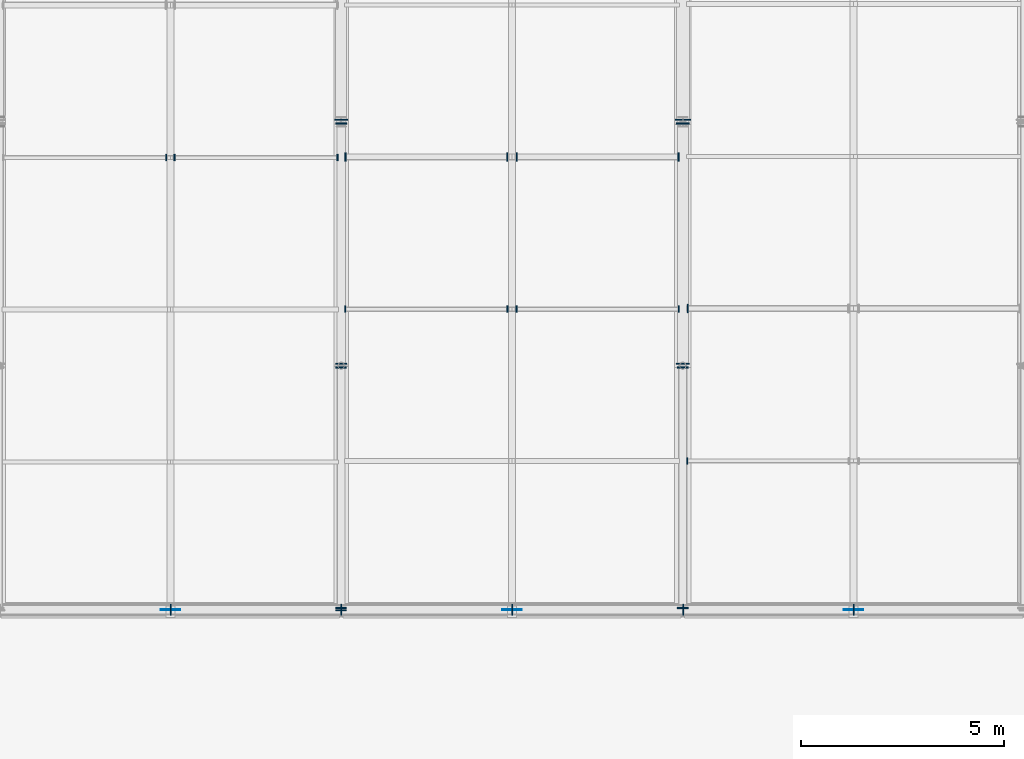
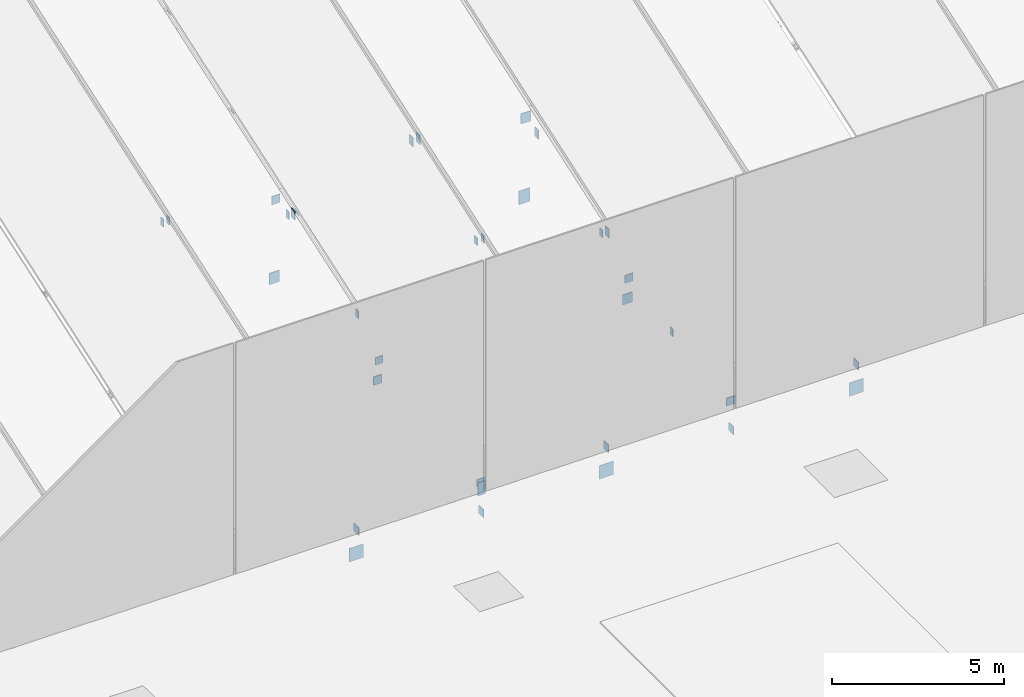
# One storey, part 63 of 77: 32 plates.
"""IFC4 building model written with IfcOpenShell, lengths in metres."""

from ifc_helpers import new_model, si_unit, direction, frame, origin, origin_2d, place, context, subcontext, project, spatial, rectangle, extrude, material, layer, layer_set, type_object, element, save


model = new_model("IFC4")

# Units and contexts
model_context = context("Model", 3, precision=1e-05, world=origin(), true_north=direction((0.0, 1.0)))
body_context = subcontext(model_context, "Body", "Model", "MODEL_VIEW")
ifc_project = project(units=[si_unit("LENGTHUNIT", "METRE"), si_unit("AREAUNIT", "SQUARE_METRE"), si_unit("VOLUMEUNIT", "CUBIC_METRE"), si_unit("PLANEANGLEUNIT", "RADIAN"), si_unit("MASSUNIT", "GRAM", prefix="KILO")], contexts=[model_context])

# Site, building, storey
site_placement = place(None, origin())
site = spatial("IfcSite", under=ifc_project, at=site_placement, CompositionType="ELEMENT")
building_placement = place(site_placement, origin())
building = spatial("IfcBuilding", under=site, at=building_placement, Name="Larkvane Passage Sports Hall", CompositionType="ELEMENT")
storey_placement = place(building_placement, frame((0.0, 0.0, 22.199951171875)))
storey = spatial("IfcBuildingStorey", under=building, at=storey_placement, Name="RF", CompositionType="ELEMENT", Elevation=22.199951171875)

# Plates
ifc_material_1 = material(Name="Steel S355JR", Category="steel")
ifc_layer_1 = layer(ifc_material_1, 0.011962890625)
ifc_layer_set_1 = layer_set([ifc_layer_1], Name="Steel S355JR")
plate_type_1 = type_object("IfcPlateType", Name="PLT-CAP-12", PredefinedType="SHEET", material=ifc_layer_set_1)
for number, where, z_axis, x_axis, name in (
    (1, (68.39990234375, 39.64404296875, 0.1083984375), (0.0, 0.0, 1.0), (-1.0, 0.0, 0.0), "Hollow section sealed end cap plate 0293"),
    (2, (68.39990234375, 45.555908203125, 0.857421875), (0.0, 0.0, 1.0), (-1.0, 0.0, 0.0), "Hollow section sealed end cap plate 0294"),
):
    element("IfcPlate", number, at=place(storey_placement, frame(where, z_axis=z_axis, x_axis=x_axis)), inside=storey, type_object=plate_type_1, Name=name, PredefinedType="SHEET", context=body_context, shape_type="SweptSolid", body=[
        extrude(rectangle(XDim=0.260009765625, YDim=0.028076171875, at=origin_2d()), origin(), (0.0, 0.0, 1.0), 0.261962890625),
    ])
for number, where, z_axis, x_axis, name in (
    (3, (68.39990234375, 45.64453125, 0.08740234375), (0.0, 0.0, 1.0), (-1.0, 0.0, 0.0), "Hollow section sealed end cap plate 0295"),
    (4, (68.39990234375, 51.555419921875, 2.9130859375), (0.0, 0.0, 1.0), (-1.0, 0.0, 0.0), "Hollow section sealed end cap plate 0296"),
):
    element("IfcPlate", number, at=place(storey_placement, frame(where, z_axis=z_axis, x_axis=x_axis)), inside=storey, type_object=plate_type_1, Name=name, PredefinedType="SHEET", context=body_context, shape_type="SweptSolid", body=[
        extrude(rectangle(XDim=0.27587890625, YDim=0.028076171875, at=origin_2d()), origin(), (0.0, 0.0, 1.0), 0.300048828125),
    ])
plate_1_placement = place(storey_placement, frame((68.39990234375, 51.6455078125, 0.03271484375), z_axis=(0.0, 0.0, 1.0), x_axis=(-1.0, 0.0, 0.0)))
element("IfcPlate", 5, at=plate_1_placement, inside=storey, type_object=plate_type_1, Name="Hollow section sealed end cap plate 0297", PredefinedType="SHEET", context=body_context, shape_type="SweptSolid", body=[
    extrude(rectangle(XDim=0.326904296875, YDim=0.028076171875, at=origin_2d()), origin(), (0.0, 0.0, 1.0), 0.406982421875),
])
for number, where, z_axis, x_axis, name in (
    (6, (76.800048828125, 39.64404296875, 0.05029296875), (0.0, 0.0, 1.0), (-1.0, 0.0, 0.0), "Hollow section sealed end cap plate 0307"),
    (7, (76.800048828125, 45.555908203125, 0.82470703125), (0.0, 0.0, 1.0), (-1.0, 0.0, 0.0), "Hollow section sealed end cap plate 0308"),
):
    element("IfcPlate", number, at=place(storey_placement, frame(where, z_axis=z_axis, x_axis=x_axis)), inside=storey, type_object=plate_type_1, Name=name, PredefinedType="SHEET", context=body_context, shape_type="SweptSolid", body=[
        extrude(rectangle(XDim=0.27587890625, YDim=0.028076171875, at=origin_2d()), origin(), (0.0, 0.0, 1.0), 0.278076171875),
    ])
for number, where, z_axis, x_axis, name in (
    (8, (76.800048828125, 45.64453125, 0.009033203125), (0.0, 0.0, 1.0), (-1.0, 0.0, 0.0), "Hollow section sealed end cap plate 0309"),
    (9, (76.800048828125, 51.555419921875, 2.859619140625), (0.0, 0.0, 1.0), (-1.0, 0.0, 0.0), "Hollow section sealed end cap plate 0310"),
):
    element("IfcPlate", number, at=place(storey_placement, frame(where, z_axis=z_axis, x_axis=x_axis)), inside=storey, type_object=plate_type_1, Name=name, PredefinedType="SHEET", context=body_context, shape_type="SweptSolid", body=[
        extrude(rectangle(XDim=0.326904296875, YDim=0.028076171875, at=origin_2d()), origin(), (0.0, 0.0, 1.0), 0.35693359375),
    ])
for number, where, z_axis, x_axis, name in (
    (10, (64.205810546875, 39.60009765625, -0.0888671875), (0.0, 0.0, 1.0), (0.0, 1.0, 0.0), "Hollow section sealed end cap plate 0373"),
    (11, (68.406005859375, 39.60009765625, -0.92138671875), (0.0, 0.0, 1.0), (0.0, 1.0, 0.0), "Hollow section sealed end cap plate 0374"),
    (12, (72.60595703125, 39.60009765625, -0.0888671875), (0.0, 0.0, 1.0), (0.0, 1.0, 0.0), "Hollow section sealed end cap plate 0376"),
    (13, (76.805908203125, 39.60009765625, -0.92138671875), (0.0, 0.0, 1.0), (0.0, 1.0, 0.0), "Hollow section sealed end cap plate 0377"),
    (14, (81.005859375, 39.60009765625, -0.0888671875), (0.0, 0.0, 1.0), (0.0, 1.0, 0.0), "Hollow section sealed end cap plate 0379"),
):
    element("IfcPlate", number, at=place(storey_placement, frame(where, z_axis=z_axis, x_axis=x_axis)), inside=storey, type_object=plate_type_1, Name=name, PredefinedType="SHEET", context=body_context, shape_type="SweptSolid", body=[
        extrude(rectangle(XDim=0.27587890625, YDim=0.028076171875, at=origin_2d()), origin(), (0.0, 0.0, 1.0), 0.280029296875),
    ])
for number, where, z_axis, x_axis, name in (
    (15, (64.30078125, 50.715087890625, 4.134521484375), (0.0, 0.0, 1.0), (0.0, 1.0, 0.0), "Hollow section sealed end cap plate 0450"),
    (16, (64.09912109375, 50.715087890625, 4.134521484375), (0.0, 0.0, 1.0), (0.0, 1.0, 0.0), "Hollow section sealed end cap plate 0453"),
    (17, (68.310546875, 50.715087890625, 2.931396484375), (0.0, 0.0, 1.0), (0.0, 1.0, 0.0), "Hollow section sealed end cap plate 0454"),
    (18, (68.499755859375, 46.98779296875, 1.602783203125), (0.0, 0.0, 1.0), (0.0, 1.0, 0.0), "Hollow section sealed end cap plate 0465"),
    (19, (72.71142578125, 46.98779296875, 2.80615234375), (0.0, 0.0, 1.0), (0.0, 1.0, 0.0), "Hollow section sealed end cap plate 0466"),
):
    element("IfcPlate", number, at=place(storey_placement, frame(where, z_axis=z_axis, x_axis=x_axis)), inside=storey, type_object=plate_type_1, Name=name, PredefinedType="SHEET", context=body_context, shape_type="SweptSolid", body=[
        extrude(rectangle(XDim=0.159912109375, YDim=0.028076171875, at=origin_2d()), origin(), (0.0, 0.0, 1.0), 0.26806640625),
    ])
for number, where, z_axis, x_axis, name in (
    (20, (68.50634765625, 50.735595703125, 2.84619140625), (0.0, 0.0, 1.0), (0.0, 1.0, 0.0), "Hollow section sealed end cap plate 0467"),
    (21, (72.718017578125, 50.735595703125, 4.04931640625), (0.0, 0.0, 1.0), (0.0, 1.0, 0.0), "Hollow section sealed end cap plate 0468"),
):
    element("IfcPlate", number, at=place(storey_placement, frame(where, z_axis=z_axis, x_axis=x_axis)), inside=storey, type_object=plate_type_1, Name=name, PredefinedType="SHEET", context=body_context, shape_type="SweptSolid", body=[
        extrude(rectangle(XDim=0.2099609375, YDim=0.028076171875, at=origin_2d()), origin(), (0.0, 0.0, 1.0), 0.320068359375),
    ])
for number, where, z_axis, x_axis, name in (
    (22, (72.488525390625, 46.98779296875, 2.80615234375), (0.0, 0.0, 1.0), (0.0, 1.0, 0.0), "Hollow section sealed end cap plate 0469"),
    (23, (76.7001953125, 46.98779296875, 1.602783203125), (0.0, 0.0, 1.0), (0.0, 1.0, 0.0), "Hollow section sealed end cap plate 0470"),
):
    element("IfcPlate", number, at=place(storey_placement, frame(where, z_axis=z_axis, x_axis=x_axis)), inside=storey, type_object=plate_type_1, Name=name, PredefinedType="SHEET", context=body_context, shape_type="SweptSolid", body=[
        extrude(rectangle(XDim=0.159912109375, YDim=0.028076171875, at=origin_2d()), origin(), (0.0, 0.0, 1.0), 0.26806640625),
    ])
for number, where, z_axis, x_axis, name in (
    (24, (72.482177734375, 50.735595703125, 4.04931640625), (0.0, 0.0, 1.0), (0.0, 1.0, 0.0), "Hollow section sealed end cap plate 0471"),
    (25, (76.693603515625, 50.735595703125, 2.84619140625), (0.0, 0.0, 1.0), (0.0, 1.0, 0.0), "Hollow section sealed end cap plate 0472"),
):
    element("IfcPlate", number, at=place(storey_placement, frame(where, z_axis=z_axis, x_axis=x_axis)), inside=storey, type_object=plate_type_1, Name=name, PredefinedType="SHEET", context=body_context, shape_type="SweptSolid", body=[
        extrude(rectangle(XDim=0.2099609375, YDim=0.028076171875, at=origin_2d()), origin(), (0.0, 0.0, 1.0), 0.320068359375),
    ])
plate_2_placement = place(storey_placement, frame((76.91015625, 43.26025390625, 0.2744140625), z_axis=(0.0, 0.0, 1.0), x_axis=(0.0, 1.0, 0.0)))
element("IfcPlate", 26, at=plate_2_placement, inside=storey, type_object=plate_type_1, Name="Hollow section sealed end cap plate 0481", PredefinedType="SHEET", context=body_context, shape_type="SweptSolid", body=[
    extrude(rectangle(XDim=0.159912109375, YDim=0.028076171875, at=origin_2d()), origin(), (0.0, 0.0, 1.0), 0.26806640625),
])
plate_3_placement = place(storey_placement, frame((76.916748046875, 47.00830078125, 1.517578125), z_axis=(0.0, 0.0, 1.0), x_axis=(0.0, 1.0, 0.0)))
element("IfcPlate", 27, at=plate_3_placement, inside=storey, type_object=plate_type_1, Name="Hollow section sealed end cap plate 0483", PredefinedType="SHEET", context=body_context, shape_type="SweptSolid", body=[
    extrude(rectangle(XDim=0.2099609375, YDim=0.028076171875, at=origin_2d()), origin(), (0.0, 0.0, 1.0), 0.320068359375),
])
ifc_material_2 = material(Name="Steel S460N", Category="steel")
ifc_layer_2 = layer(ifc_material_2, 0.02001953125)
ifc_layer_set_2 = layer_set([ifc_layer_2], Name="Steel S460N")
plate_type_2 = type_object("IfcPlateType", Name="PLT-CAP-20", PredefinedType="SHEET", material=ifc_layer_set_2)
plate_4_placement = place(storey_placement, frame((68.39990234375, 39.590087890625, -0.179931640625), z_axis=(0.0, 0.0, 1.0), x_axis=(-1.0, 0.0, 0.0)))
element("IfcPlate", 28, at=plate_4_placement, inside=storey, type_object=plate_type_2, Name="Hollow section sealed end cap plate 0291", PredefinedType="SHEET", context=body_context, shape_type="SweptSolid", body=[
    extrude(rectangle(XDim=0.260009765625, YDim=0.028076171875, at=origin_2d()), origin(), (0.0, 0.0, 1.0), 0.4599609375),
])
plate_5_placement = place(storey_placement, frame((76.800048828125, 51.642333984375, -0.053955078125), z_axis=(0.0, 0.0, 1.0), x_axis=(-1.0, 0.0, 0.0)))
element("IfcPlate", 29, at=plate_5_placement, inside=storey, type_object=plate_type_2, Name="Hollow section sealed end cap plate 0311", PredefinedType="SHEET", context=body_context, shape_type="SweptSolid", body=[
    extrude(rectangle(XDim=0.37890625, YDim=0.028076171875, at=origin_2d()), origin(), (0.0, 0.0, 1.0), 0.47509765625),
])
ifc_layer_3 = layer(ifc_material_2, 0.01611328125)
ifc_layer_set_3 = layer_set([ifc_layer_3], Name="Steel S460N")
plate_type_3 = type_object("IfcPlateType", Name="PLT-GUS-16", PredefinedType="USERDEFINED", material=ifc_layer_set_3)
for number, where, z_axis, x_axis, name in (
    (30, (64.199951171875, 39.60009765625, -1.02001953125), (0.0, 0.0, 1.0), (1.0, 0.0, 0.0), "Brace connection gusset plate 0375"),
    (31, (72.60009765625, 39.60009765625, -1.02001953125), (0.0, 0.0, 1.0), (1.0, 0.0, 0.0), "Brace connection gusset plate 0378"),
    (32, (81.0, 39.60009765625, -1.02001953125), (0.0, 0.0, 1.0), (1.0, 0.0, 0.0), "Brace connection gusset plate 0381"),
):
    element("IfcPlate", number, at=place(storey_placement, frame(where, z_axis=z_axis, x_axis=x_axis)), inside=storey, type_object=plate_type_3, Name=name, ObjectType="GUSSET PLATE", PredefinedType="USERDEFINED", context=body_context, shape_type="SweptSolid", body=[
        extrude(rectangle(XDim=0.47998046875, YDim=0.01611328125, at=origin_2d()), origin(), (0.0, 0.0, 1.0), 0.47998046875),
    ])

save(model, "model.ifc")
